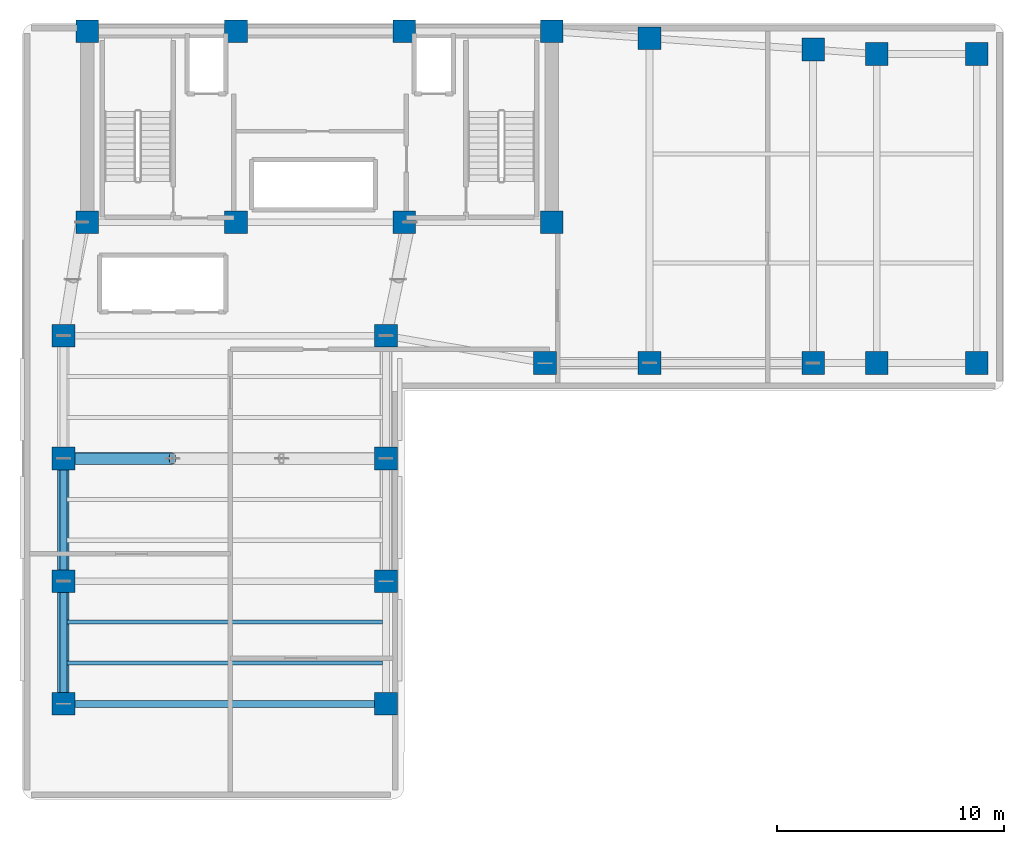
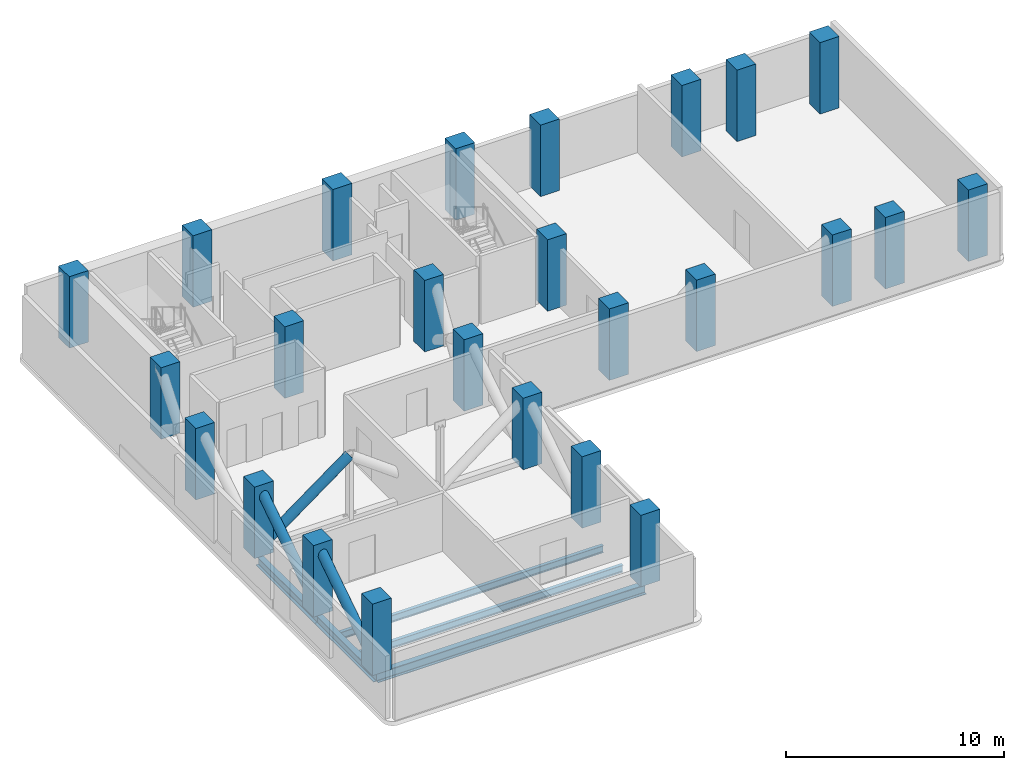
# One storey, part 1 of 6: 25 columns, 5 beams, 3 members.
"""IFC4 building model written with IfcOpenShell, lengths in metres."""

from ifc_helpers import new_model, si_unit, direction, frame, origin, origin_2d, place, context, subcontext, project, spatial, rectangle, hollow_circle, i_section, extrude, material, material_profile, profile_set, type_object, element, save


model = new_model("IFC4")

# Units and contexts
model_context = context("Model", 3, precision=1e-05, world=origin(), true_north=direction((0.0, 1.0)))
body_context = subcontext(model_context, "Body", "Model", "MODEL_VIEW")
ifc_project = project(units=[si_unit("LENGTHUNIT", "METRE"), si_unit("AREAUNIT", "SQUARE_METRE"), si_unit("VOLUMEUNIT", "CUBIC_METRE"), si_unit("PLANEANGLEUNIT", "RADIAN"), si_unit("MASSUNIT", "GRAM", prefix="KILO")], contexts=[model_context])

# Site, building, storey
site_placement = place(None, origin())
site = spatial("IfcSite", under=ifc_project, at=site_placement, CompositionType="ELEMENT")
building_placement = place(site_placement, origin())
building = spatial("IfcBuilding", under=site, at=building_placement, Name="Kuzgunbayir Cultural Tower", CompositionType="ELEMENT")
storey_placement = place(building_placement, frame((0.0, 0.0, 156.0)))
storey = spatial("IfcBuildingStorey", under=building, at=storey_placement, Name="L45", CompositionType="ELEMENT", Elevation=156.0)

# Columns
ifc_material_1 = material(Name="Concrete C50/60", Category="concrete")
ifc_material_profile_1 = material_profile(ifc_material_1, rectangle(XDim=1.0, YDim=1.0, at=origin_2d()), Name="RC 1000x1000")
ifc_profile_set_1 = profile_set([ifc_material_profile_1], Name="Concrete C50/60")
column_type_1 = type_object("IfcColumnType", Name="COL-CORE-1000", PredefinedType="COLUMN", material=ifc_profile_set_1)
for number, where, z_axis, x_axis, name in (
    (1, (6.449951171875, 33.800048828125, 0.0), (0.0, 0.0, 1.0), (1.0, 0.0, 0.0), "L45 T1 Core Boundary Column CC1-1"),
    (2, (13.0, 33.800048828125, 0.0), (0.0, 0.0, 1.0), (1.0, 0.0, 0.0), "L45 T1 Core Boundary Column CC1-2"),
    (3, (20.39990234375, 33.800048828125, 0.0), (0.0, 0.0, 1.0), (1.0, 0.0, 0.0), "L45 T1 Core Boundary Column CC1-3"),
    (4, (26.89990234375, 33.800048828125, 0.0), (0.0, 0.0, 1.0), (1.0, 0.0, 0.0), "L45 T1 Core Boundary Column CC1-4"),
    (5, (6.449951171875, 42.199951171875, 0.0), (0.0, 0.0, 1.0), (1.0, 0.0, 0.0), "L45 T1 Core Boundary Column CC1-5"),
    (6, (13.0, 42.199951171875, 0.0), (0.0, 0.0, 1.0), (1.0, 0.0, 0.0), "L45 T1 Core Boundary Column CC1-6"),
    (7, (20.39990234375, 42.199951171875, 0.0), (0.0, 0.0, 1.0), (1.0, 0.0, 0.0), "L45 T1 Core Boundary Column CC1-7"),
    (8, (26.89990234375, 42.199951171875, 0.0), (0.0, 0.0, 1.0), (1.0, 0.0, 0.0), "L45 T1 Core Boundary Column CC1-8"),
):
    element("IfcColumn", number, at=place(storey_placement, frame(where, z_axis=z_axis, x_axis=x_axis)), inside=storey, type_object=column_type_1, Name=name, PredefinedType="COLUMN", context=body_context, shape_type="SweptSolid", body=[
        extrude(rectangle(XDim=1.0, YDim=1.0, at=origin_2d()), origin(), (0.0, 0.0, 1.0), 4.0),
    ])
ifc_material_profile_2 = material_profile(ifc_material_1, rectangle(XDim=1.0, YDim=1.0, at=origin_2d()), Name="RC 1000x1000")
ifc_profile_set_2 = profile_set([ifc_material_profile_2], Name="Concrete C50/60")
column_type_2 = type_object("IfcColumnType", Name="COL-T1-1000", PredefinedType="COLUMN", material=ifc_profile_set_2)
for number, where, z_axis, x_axis, name in (
    (9, (5.39990234375, 12.60009765625, 0.0), (0.0, 0.0, 1.0), (1.0, 0.0, 0.0), "L45 Tower 1 Wing A Column T1A-W-1"),
    (10, (19.60009765625, 12.60009765625, 0.0), (0.0, 0.0, 1.0), (1.0, 0.0, 0.0), "L45 Tower 1 Wing A Column T1A-E-1"),
    (11, (5.39990234375, 18.0, 0.0), (0.0, 0.0, 1.0), (1.0, 0.0, 0.0), "L45 Tower 1 Wing A Column T1A-W-2"),
    (12, (19.60009765625, 18.0, 0.0), (0.0, 0.0, 1.0), (1.0, 0.0, 0.0), "L45 Tower 1 Wing A Column T1A-E-2"),
    (13, (5.39990234375, 23.39990234375, 0.0), (0.0, 0.0, 1.0), (1.0, 0.0, 0.0), "L45 Tower 1 Wing A Column T1A-W-3"),
    (14, (19.60009765625, 23.39990234375, 0.0), (0.0, 0.0, 1.0), (1.0, 0.0, 0.0), "L45 Tower 1 Wing A Column T1A-E-3"),
    (15, (5.39990234375, 28.800048828125, 0.0), (0.0, 0.0, 1.0), (1.0, 0.0, 0.0), "L45 Tower 1 Wing A Column T1A-W-4"),
    (16, (19.60009765625, 28.800048828125, 0.0), (0.0, 0.0, 1.0), (1.0, 0.0, 0.0), "L45 Tower 1 Wing A Column T1A-E-4"),
    (17, (26.60009765625, 27.60009765625, 0.0), (0.0, 0.0, 1.0), (1.0, 0.0, 0.0), "L45 Tower 1 Wing B Column T1B-1-1"),
    (18, (31.199951171875, 27.60009765625, 0.0), (0.0, 0.0, 1.0), (1.0, 0.0, 0.0), "L45 Tower 1 Wing B Column T1B-2-1"),
    (19, (31.199951171875, 41.89990234375, 0.0), (0.0, 0.0, 1.0), (1.0, 0.0, 0.0), "L45 Tower 1 Wing B Column T1B-2-2"),
    (20, (38.39990234375, 27.60009765625, 0.0), (0.0, 0.0, 1.0), (1.0, 0.0, 0.0), "L45 Tower 1 Wing B Column T1B-3-1"),
    (21, (38.39990234375, 41.39990234375, 0.0), (0.0, 0.0, 1.0), (1.0, 0.0, 0.0), "L45 Tower 1 Wing B Column T1B-3-2"),
    (22, (41.199951171875, 27.60009765625, 0.0), (0.0, 0.0, 1.0), (1.0, 0.0, 0.0), "L45 Tower 1 Wing B Column T1B-4-1"),
    (23, (41.199951171875, 41.199951171875, 0.0), (0.0, 0.0, 1.0), (1.0, 0.0, 0.0), "L45 Tower 1 Wing B Column T1B-4-2"),
    (24, (45.60009765625, 27.60009765625, 0.0), (0.0, 0.0, 1.0), (1.0, 0.0, 0.0), "L45 Tower 1 Wing B Column T1B-5-1"),
    (25, (45.60009765625, 41.199951171875, 0.0), (0.0, 0.0, 1.0), (1.0, 0.0, 0.0), "L45 Tower 1 Wing B Column T1B-5-2"),
):
    element("IfcColumn", number, at=place(storey_placement, frame(where, z_axis=z_axis, x_axis=x_axis)), inside=storey, type_object=column_type_2, Name=name, PredefinedType="COLUMN", context=body_context, shape_type="SweptSolid", body=[
        extrude(rectangle(XDim=1.0, YDim=1.0, at=origin_2d()), origin(), (0.0, 0.0, 1.0), 4.0),
    ])

# Beams
ifc_material_2 = material(Name="Steel S355J2", Category="steel")
ifc_material_profile_3 = material_profile(ifc_material_2, i_section(OverallWidth=0.300048828125, OverallDepth=0.550048828125, WebThickness=0.014892578125, FlangeThickness=0.029052734375, FilletRadius=0.027099609375, at=origin_2d()), Name="HEB 550")
ifc_profile_set_3 = profile_set([ifc_material_profile_3], Name="Steel S355J2")
beam_type_1 = type_object("IfcBeamType", Name="BM-EXT-HEB550", PredefinedType="BEAM", material=ifc_profile_set_3)
for number, where, z_axis, x_axis, name in (
    (26, (5.39990234375, 12.60009765625, -0.52001953125), (0.0, 1.0, 0.0), (-1.0, 0.0, 0.0), "L45 Wing A West Girder 1"),
    (27, (5.39990234375, 18.0, -0.52001953125), (0.0, 1.0, 0.0), (-1.0, 0.0, 0.0), "L45 Wing A West Girder 2"),
):
    element("IfcBeam", number, at=place(storey_placement, frame(where, z_axis=z_axis, x_axis=x_axis)), inside=storey, type_object=beam_type_1, Name=name, PredefinedType="BEAM", context=body_context, shape_type="SweptSolid", body=[
        extrude(i_section(OverallWidth=0.300048828125, OverallDepth=0.550048828125, WebThickness=0.014892578125, FlangeThickness=0.029052734375, FilletRadius=0.027099609375, at=origin_2d()), origin(), (0.0, 0.0, 1.0), 5.39990234375),
    ])
ifc_material_profile_4 = material_profile(ifc_material_2, i_section(OverallWidth=0.300048828125, OverallDepth=0.550048828125, WebThickness=0.014892578125, FlangeThickness=0.029052734375, FilletRadius=0.027099609375, at=origin_2d()), Name="HEB 550")
ifc_profile_set_4 = profile_set([ifc_material_profile_4], Name="Steel S355J2")
beam_type_2 = type_object("IfcBeamType", Name="BM-GIR-HEB550", PredefinedType="BEAM", material=ifc_profile_set_4)
beam_placement = place(storey_placement, frame((5.39990234375, 12.60009765625, -0.52001953125), z_axis=(1.0, 0.0, 0.0), x_axis=(0.0, 1.0, 0.0)))
element("IfcBeam", 28, at=beam_placement, inside=storey, type_object=beam_type_2, Name="L45 Wing A Transverse Girder 1", PredefinedType="BEAM", context=body_context, shape_type="SweptSolid", body=[
    extrude(i_section(OverallWidth=0.300048828125, OverallDepth=0.550048828125, WebThickness=0.014892578125, FlangeThickness=0.029052734375, FilletRadius=0.027099609375, at=origin_2d()), origin(), (0.0, 0.0, 1.0), 14.2001953125),
])
ifc_material_profile_5 = material_profile(ifc_material_2, i_section(OverallWidth=0.179931640625, OverallDepth=0.39990234375, WebThickness=0.008544921875, FlangeThickness=0.013427734375, FilletRadius=0.02099609375, at=origin_2d()), Name="IPE 400")
ifc_profile_set_5 = profile_set([ifc_material_profile_5], Name="Steel S355J2")
beam_type_3 = type_object("IfcBeamType", Name="BM-JST-IPE400", PredefinedType="JOIST", material=ifc_profile_set_5)
for number, where, z_axis, x_axis, name in (
    (29, (5.550048828125, 14.39990234375, -0.43994140625), (1.0, 0.0, 0.0), (0.0, 1.0, 0.0), "L45 Wing A Secondary Joist 1"),
    (30, (5.550048828125, 16.199951171875, -0.43994140625), (1.0, 0.0, 0.0), (0.0, 1.0, 0.0), "L45 Wing A Secondary Joist 2"),
):
    element("IfcBeam", number, at=place(storey_placement, frame(where, z_axis=z_axis, x_axis=x_axis)), inside=storey, type_object=beam_type_3, Name=name, PredefinedType="JOIST", context=body_context, shape_type="SweptSolid", body=[
        extrude(i_section(OverallWidth=0.179931640625, OverallDepth=0.39990234375, WebThickness=0.008544921875, FlangeThickness=0.013427734375, FilletRadius=0.02099609375, at=origin_2d()), origin(), (0.0, 0.0, 1.0), 13.89990234375),
    ])

# Members
ifc_material_3 = material(Name="Steel S460M", Category="steel")
ifc_material_profile_6 = material_profile(ifc_material_3, hollow_circle(Radius=0.25390625, WallThickness=0.02490234375, at=origin_2d()), Name="CHS 508x25")
ifc_profile_set_6 = profile_set([ifc_material_profile_6], Name="Steel S460M")
member_type = type_object("IfcMemberType", Name="MEM-OUT-CHS508", PredefinedType="BRACE", material=ifc_profile_set_6)
member_1_placement = place(storey_placement, frame((5.39990234375, 18.0, 0.1201171875), z_axis=(0.0, 0.837034942937, 0.547149435075), x_axis=(-1.0, 0.0, 0.0)))
element("IfcMember", 31, at=member_1_placement, inside=storey, type_object=member_type, Name="L45 Outrigger and Belt Truss Diagonal 1", PredefinedType="BRACE", context=body_context, shape_type="SweptSolid", body=[
    extrude(hollow_circle(Radius=0.25390625, WallThickness=0.02490234375, at=origin_2d()), origin(), (0.0, 0.0, 1.0), 6.451171875),
])
member_2_placement = place(storey_placement, frame((5.39990234375, 23.39990234375, 0.1201171875), z_axis=(0.805623978407, 0.0, 0.59242721529), x_axis=(0.0, 1.0, 0.0)))
element("IfcMember", 32, at=member_2_placement, inside=storey, type_object=member_type, Name="L45 Outrigger and Belt Truss Diagonal 5", PredefinedType="BRACE", context=body_context, shape_type="SweptSolid", body=[
    extrude(hollow_circle(Radius=0.25390625, WallThickness=0.02490234375, at=origin_2d()), origin(), (0.0, 0.0, 1.0), 5.958251953125),
])
member_3_placement = place(storey_placement, frame((5.39990234375, 12.60009765625, 0.1201171875), z_axis=(0.0, 0.837034942937, 0.547149435075), x_axis=(-1.0, 0.0, 0.0)))
element("IfcMember", 33, at=member_3_placement, inside=storey, type_object=member_type, Name="L45 Outrigger and Belt Truss Diagonal 8", PredefinedType="BRACE", context=body_context, shape_type="SweptSolid", body=[
    extrude(hollow_circle(Radius=0.25390625, WallThickness=0.02490234375, at=origin_2d()), origin(), (0.0, 0.0, 1.0), 6.451171875),
])

save(model, "model.ifc")
